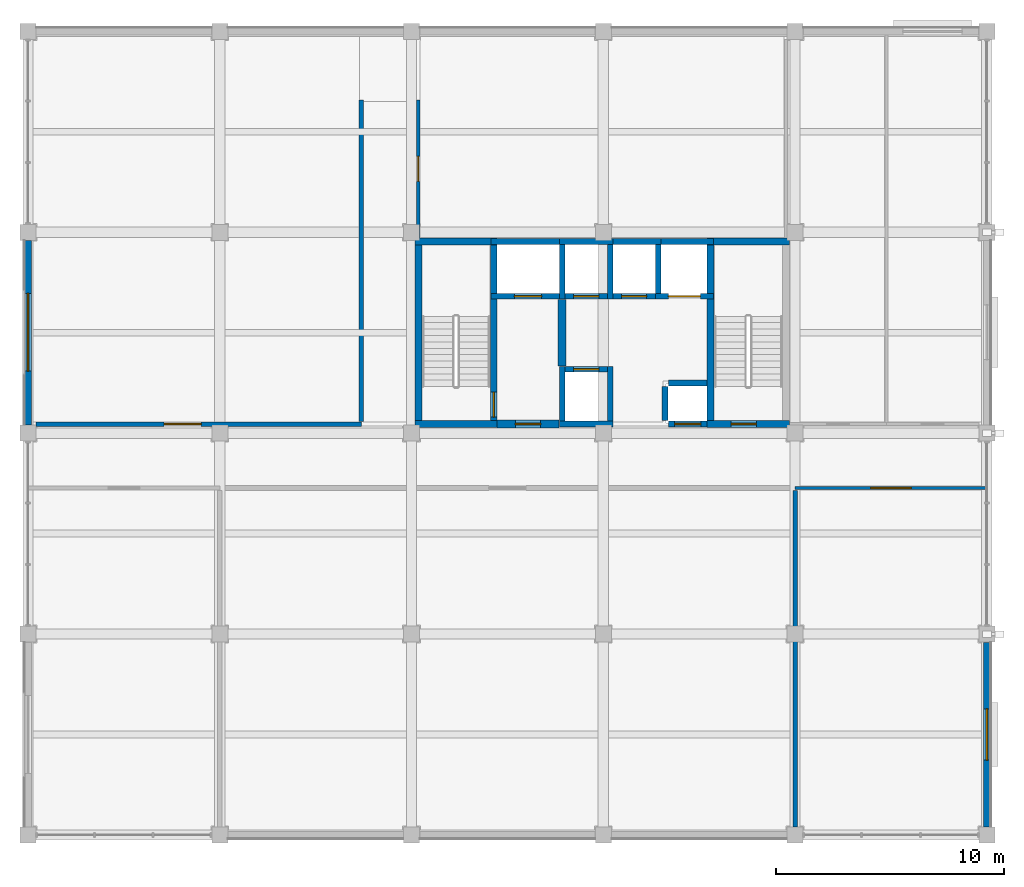
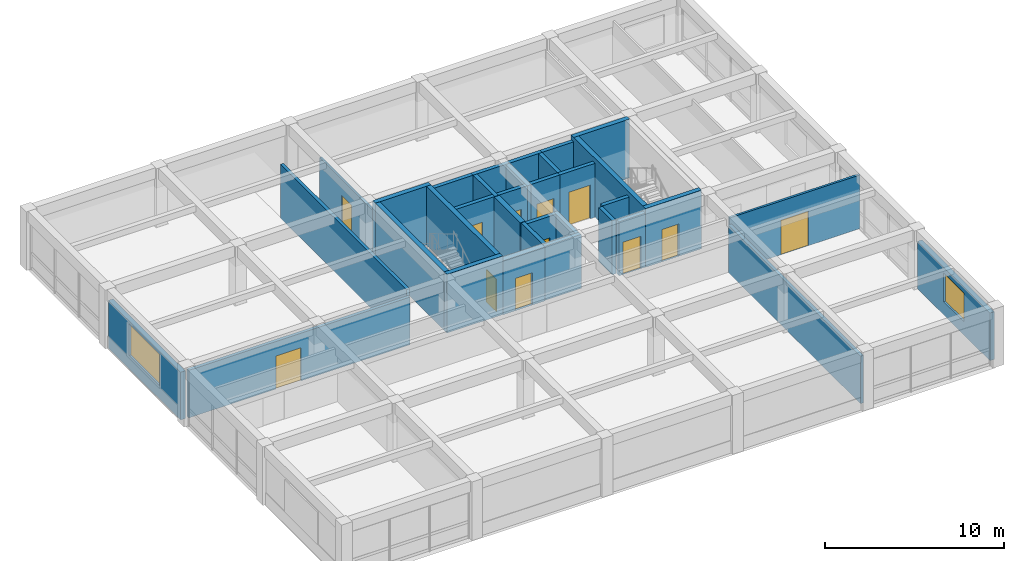
# One storey, part 8 of 14: 34 walls, 12 doors, 2 windows, 14 openings.
"""IFC4 building model written with IfcOpenShell, lengths in metres."""

from ifc_helpers import new_model, si_unit, direction, frame, frame_2d, origin, place, context, subcontext, project, spatial, rectangle, extrude, material, layer, layer_set, type_object, element, fill, save


model = new_model("IFC4")

# Units and contexts
model_context = context("Model", 3, precision=1e-05, world=origin(), true_north=direction((0.0, 1.0)))
body_context = subcontext(model_context, "Body", "Model", "MODEL_VIEW")
ifc_project = project(units=[si_unit("LENGTHUNIT", "METRE"), si_unit("AREAUNIT", "SQUARE_METRE"), si_unit("VOLUMEUNIT", "CUBIC_METRE"), si_unit("PLANEANGLEUNIT", "RADIAN"), si_unit("MASSUNIT", "GRAM", prefix="KILO")], contexts=[model_context])

# Site, building, storey
site_placement = place(None, origin())
site = spatial("IfcSite", under=ifc_project, at=site_placement, CompositionType="ELEMENT")
building_placement = place(site_placement, origin())
building = spatial("IfcBuilding", under=site, at=building_placement, Name="Kemercrest Conservatory and Botanical Centre", CompositionType="ELEMENT")
storey_placement = place(building_placement, frame((0.0, 0.0, 32.800048828125)))
storey = spatial("IfcBuildingStorey", under=building, at=storey_placement, Name="L08", CompositionType="ELEMENT", Elevation=32.800048828125)

# Wall
ifc_material_1 = material(Name="Concrete C50/60", Category="concrete")
ifc_layer_1 = layer(ifc_material_1, 0.35009765625)
ifc_layer_set_1 = layer_set([ifc_layer_1], Name="Concrete C50/60")
wall_type_1 = type_object("IfcWallType", Name="CW-CORE", PredefinedType="SHEAR", material=ifc_layer_set_1)
wall_1_placement = place(storey_placement, frame((157.39990234375, 107.75, 0.0), z_axis=(0.0, 0.0, 1.0), x_axis=(0.0, 1.0, 0.0)))
element("IfcWall", 1, at=wall_1_placement, inside=storey, type_object=wall_type_1, Name="Firefighting lift lobby 2-hour separation shear wall", PredefinedType="SHEAR", context=body_context, shape_type="SweptSolid", body=[
    extrude(rectangle(XDim=2.89990234375, YDim=0.35009765625, at=frame_2d((1.449951171875, 0.0))), origin(), (0.0, 0.0, 1.0), 3.679931640625),
])

# Wall, opening, door
wall_2_placement = place(storey_placement, frame((154.550048828125, 105.199951171875, 0.0), z_axis=(0.0, 0.0, 1.0), x_axis=(1.0, 0.0, 0.0)))
wall_2 = element("IfcWall", 2, at=wall_2_placement, inside=storey, type_object=wall_type_1, Name="Firefighting lift lobby south shear wall", PredefinedType="SHEAR", context=body_context, shape_type="SweptSolid", body=[
    extrude(rectangle(XDim=2.699951171875, YDim=0.35009765625, at=frame_2d((1.35009765625, 0.0))), origin(), (0.0, 0.0, 1.0), 3.679931640625),
])
opening_1_placement = place(wall_2_placement, frame((0.800048828125, 0.0, 0.0)))
opening_1 = element("IfcOpeningElement", 3, at=opening_1_placement, cuts=wall_2, Name="Opening D087", PredefinedType="OPENING", context=body_context, shape_type="SweptSolid", body=[
    extrude(rectangle(XDim=1.10009765625, YDim=2.199951171875, at=frame_2d((0.550048828125, 1.10009765625))), frame((0.0, 0.18505859375, 0.0), z_axis=(0.0, -1.0, 0.0), x_axis=(1.0, 0.0, 0.0)), (0.0, 0.0, 1.0), 0.3701171875),
])
ifc_material_2 = material(Name="Powder-coated galvanized steel and fire-rated vision glass", Category="steel")
door_type_1 = type_object("IfcDoorType", Name="DT-FD90", OperationType="NOTDEFINED", PredefinedType="DOOR", material=ifc_material_2)
door_1_placement = place(opening_1_placement, origin())
door_1 = element("IfcDoor", 4, at=door_1_placement, inside=storey, type_object=door_type_1, Name="Firefighting lift lobby corridor fire door D087", OperationType="SINGLE_SWING_LEFT", OverallHeight=2.199951171875, OverallWidth=1.10009765625, PredefinedType="DOOR", context=body_context, shape_type="SweptSolid", body=[
    extrude(rectangle(XDim=1.10009765625, YDim=2.199951171875, at=frame_2d((0.550048828125, 1.10009765625))), frame((0.0, 0.02490234375, 0.0), z_axis=(0.0, -1.0, 0.0), x_axis=(1.0, 0.0, 0.0)), (0.0, 0.0, 1.0), 0.050048828125),
])
fill(opening_1, door_1)

# Walls
ifc_layer_2 = layer(ifc_material_1, 0.300048828125)
ifc_layer_set_2 = layer_set([ifc_layer_2], Name="Concrete C50/60")
wall_type_2 = type_object("IfcWallType", Name="CW-STAIR", PredefinedType="SHEAR", material=ifc_layer_set_2)
for number, where, z_axis, x_axis, name in (
    (5, (150.949951171875, 105.199951171875, 0.0), (0.0, 0.0, 1.0), (1.0, 0.0, 0.0), "Stair core ST-V4A shear wall S"),
    (6, (150.949951171875, 113.199951171875, 0.0), (0.0, 0.0, 1.0), (1.0, 0.0, 0.0), "Stair core ST-V4A shear wall N"),
):
    element("IfcWall", number, at=place(storey_placement, frame(where, z_axis=z_axis, x_axis=x_axis)), inside=storey, type_object=wall_type_2, Name=name, PredefinedType="SHEAR", context=body_context, shape_type="SweptSolid", body=[
        extrude(rectangle(XDim=3.60009765625, YDim=0.300048828125, at=frame_2d((1.800048828125, 0.0))), origin(), (0.0, 0.0, 1.0), 4.0),
    ])
wall_3_placement = place(storey_placement, frame((151.10009765625, 105.050048828125, 0.0), z_axis=(0.0, 0.0, 1.0), x_axis=(0.0, 1.0, 0.0)))
element("IfcWall", 7, at=wall_3_placement, inside=storey, type_object=wall_type_2, Name="Stair core ST-V4A shear wall W", PredefinedType="SHEAR", context=body_context, shape_type="SweptSolid", body=[
    extrude(rectangle(XDim=8.300048828125, YDim=0.300048828125, at=frame_2d((4.14990234375, 0.0))), origin(), (0.0, 0.0, 1.0), 4.0),
])

# Wall, opening, door
wall_4_placement = place(storey_placement, frame((154.39990234375, 105.050048828125, 0.0), z_axis=(0.0, 0.0, 1.0), x_axis=(0.0, 1.0, 0.0)))
wall_4 = element("IfcWall", 8, at=wall_4_placement, inside=storey, type_object=wall_type_2, Name="Stair core ST-V4A shear wall E", PredefinedType="SHEAR", context=body_context, shape_type="SweptSolid", body=[
    extrude(rectangle(XDim=8.300048828125, YDim=0.300048828125, at=frame_2d((4.14990234375, 0.0))), origin(), (0.0, 0.0, 1.0), 4.0),
])
opening_2_placement = place(wall_4_placement, frame((0.449951171875, 0.0, 0.0)))
opening_2 = element("IfcOpeningElement", 9, at=opening_2_placement, cuts=wall_4, Name="Opening D034", PredefinedType="OPENING", context=body_context, shape_type="SweptSolid", body=[
    extrude(rectangle(XDim=1.10009765625, YDim=2.199951171875, at=frame_2d((0.550048828125, 1.10009765625))), frame((0.0, 0.16015625, 0.0), z_axis=(0.0, -1.0, 0.0), x_axis=(1.0, 0.0, 0.0)), (0.0, 0.0, 1.0), 0.320068359375),
])
door_2_placement = place(opening_2_placement, frame((1.10009765625, 0.0, 0.0), z_axis=(0.0, 0.0, 1.0), x_axis=(-1.0, 0.0, 0.0)))
door_2 = element("IfcDoor", 10, at=door_2_placement, inside=storey, type_object=door_type_1, Name="Exit stair ST-V4A fire door D034", OperationType="SINGLE_SWING_RIGHT", OverallHeight=2.199951171875, OverallWidth=1.10009765625, PredefinedType="DOOR", context=body_context, shape_type="SweptSolid", body=[
    extrude(rectangle(XDim=1.10009765625, YDim=2.199951171875, at=frame_2d((0.550048828125, 1.10009765625))), frame((0.0, 0.02490234375, 0.0), z_axis=(0.0, -1.0, 0.0), x_axis=(1.0, 0.0, 0.0)), (0.0, 0.0, 1.0), 0.050048828125),
])
fill(opening_2, door_2)

wall_5_placement = place(storey_placement, frame((163.75, 105.199951171875, 0.0), z_axis=(0.0, 0.0, 1.0), x_axis=(1.0, 0.0, 0.0)))
wall_5 = element("IfcWall", 11, at=wall_5_placement, inside=storey, type_object=wall_type_2, Name="Stair core ST-V4B shear wall S", PredefinedType="SHEAR", context=body_context, shape_type="SweptSolid", body=[
    extrude(rectangle(XDim=3.60009765625, YDim=0.300048828125, at=frame_2d((1.800048828125, 0.0))), origin(), (0.0, 0.0, 1.0), 4.0),
])
opening_3_placement = place(wall_5_placement, frame((1.050048828125, 0.0, 0.0)))
opening_3 = element("IfcOpeningElement", 12, at=opening_3_placement, cuts=wall_5, Name="Opening D053", PredefinedType="OPENING", context=body_context, shape_type="SweptSolid", body=[
    extrude(rectangle(XDim=1.10009765625, YDim=2.199951171875, at=frame_2d((0.550048828125, 1.10009765625))), frame((0.0, 0.16015625, 0.0), z_axis=(0.0, -1.0, 0.0), x_axis=(1.0, 0.0, 0.0)), (0.0, 0.0, 1.0), 0.320068359375),
])
door_3_placement = place(opening_3_placement, origin())
door_3 = element("IfcDoor", 13, at=door_3_placement, inside=storey, type_object=door_type_1, Name="Exit stair ST-V4B fire door D053", OperationType="SINGLE_SWING_LEFT", OverallHeight=2.199951171875, OverallWidth=1.10009765625, PredefinedType="DOOR", context=body_context, shape_type="SweptSolid", body=[
    extrude(rectangle(XDim=1.10009765625, YDim=2.199951171875, at=frame_2d((0.550048828125, 1.10009765625))), frame((0.0, 0.02490234375, 0.0), z_axis=(0.0, -1.0, 0.0), x_axis=(1.0, 0.0, 0.0)), (0.0, 0.0, 1.0), 0.050048828125),
])
fill(opening_3, door_3)

# Walls
wall_6_placement = place(storey_placement, frame((163.75, 113.199951171875, 0.0), z_axis=(0.0, 0.0, 1.0), x_axis=(1.0, 0.0, 0.0)))
element("IfcWall", 14, at=wall_6_placement, inside=storey, type_object=wall_type_2, Name="Stair core ST-V4B shear wall N", PredefinedType="SHEAR", context=body_context, shape_type="SweptSolid", body=[
    extrude(rectangle(XDim=3.60009765625, YDim=0.300048828125, at=frame_2d((1.800048828125, 0.0))), origin(), (0.0, 0.0, 1.0), 4.0),
])
wall_7_placement = place(storey_placement, frame((163.89990234375, 105.050048828125, 0.0), z_axis=(0.0, 0.0, 1.0), x_axis=(0.0, 1.0, 0.0)))
element("IfcWall", 15, at=wall_7_placement, inside=storey, type_object=wall_type_2, Name="Stair core ST-V4B shear wall W", PredefinedType="SHEAR", context=body_context, shape_type="SweptSolid", body=[
    extrude(rectangle(XDim=8.300048828125, YDim=0.300048828125, at=frame_2d((4.14990234375, 0.0))), origin(), (0.0, 0.0, 1.0), 4.0),
])

# Wall, opening, window
ifc_material_3 = material(Name="Precast concrete C40/50", Category="concrete")
ifc_layer_3 = layer(ifc_material_3, 0.300048828125)
ifc_layer_set_3 = layer_set([ifc_layer_3], Name="Precast concrete C40/50")
wall_type_3 = type_object("IfcWallType", Name="W-EXT300", PredefinedType="SOLIDWALL", material=ifc_layer_set_3)
wall_8_placement = place(storey_placement, frame((176.0, 87.56005859375, 0.0), z_axis=(0.0, 0.0, 1.0), x_axis=(0.0, 1.0, 0.0)))
wall_8 = element("IfcWall", 16, at=wall_8_placement, inside=storey, type_object=wall_type_3, Name="Exterior almasik wall W-EXT300 (WAL:L08:EXT-277)", PredefinedType="SOLIDWALL", context=body_context, shape_type="SweptSolid", body=[
    extrude(rectangle(XDim=8.079833984375, YDim=0.300048828125, at=frame_2d((4.0400390625, 0.0))), origin(), (0.0, 0.0, 1.0), 3.25),
])
opening_4_placement = place(wall_8_placement, frame((2.9150390625, 0.0, 0.89990234375)))
opening_4 = element("IfcOpeningElement", 17, at=opening_4_placement, cuts=wall_8, Name="Opening WT-08", PredefinedType="OPENING", context=body_context, shape_type="SweptSolid", body=[
    extrude(rectangle(XDim=2.25, YDim=1.949951171875, at=frame_2d((1.125, 0.97509765625))), frame((0.0, 0.16015625, 0.0), z_axis=(0.0, -1.0, 0.0), x_axis=(1.0, 0.0, 0.0)), (0.0, 0.0, 1.0), 0.320068359375),
])
ifc_material_4 = material(Name="Thermally broken bronze-anodized aluminium and triple glazing", Category="aluminium")
window_type_1 = type_object("IfcWindowType", Name="WT-08", PartitioningType="SINGLE_PANEL", PredefinedType="WINDOW", material=ifc_material_4)
window_1_placement = place(opening_4_placement, origin())
window_1 = element("IfcWindow", 18, at=window_1_placement, inside=storey, type_object=window_type_1, Name="Exterior window WT-08 (WIN:L08:EXT-277)", OverallHeight=1.949951171875, OverallWidth=2.25, PartitioningType="SINGLE_PANEL", PredefinedType="WINDOW", context=body_context, shape_type="SweptSolid", body=[
    extrude(rectangle(XDim=2.25, YDim=1.949951171875, at=frame_2d((1.125, 0.97509765625))), frame((0.0, 0.030029296875, 0.0), z_axis=(0.0, -1.0, 0.0), x_axis=(1.0, 0.0, 0.0)), (0.0, 0.0, 1.0), 0.06005859375),
])
fill(opening_4, window_1)

wall_9_placement = place(storey_placement, frame((134.0, 113.239990234375, 0.0), z_axis=(0.0, 0.0, 1.0), x_axis=(0.0, -1.0, 0.0)))
wall_9 = element("IfcWall", 19, at=wall_9_placement, inside=storey, type_object=wall_type_3, Name="Exterior almasik wall W-EXT300 (WAL:L08:EXT-284)", PredefinedType="SOLIDWALL", context=body_context, shape_type="SweptSolid", body=[
    extrude(rectangle(XDim=8.080078125, YDim=0.300048828125, at=frame_2d((4.0400390625, 0.0))), origin(), (0.0, 0.0, 1.0), 3.25),
])
opening_5_placement = place(wall_9_placement, frame((2.320068359375, 0.0, 0.89990234375)))
opening_5 = element("IfcOpeningElement", 20, at=opening_5_placement, cuts=wall_9, Name="Opening WT-20", PredefinedType="OPENING", context=body_context, shape_type="SweptSolid", body=[
    extrude(rectangle(XDim=3.39990234375, YDim=2.14990234375, at=frame_2d((1.699951171875, 1.074951171875))), frame((0.0, 0.16015625, 0.0), z_axis=(0.0, -1.0, 0.0), x_axis=(1.0, 0.0, 0.0)), (0.0, 0.0, 1.0), 0.320068359375),
])
window_type_2 = type_object("IfcWindowType", Name="WT-20", PartitioningType="SINGLE_PANEL", PredefinedType="WINDOW", material=ifc_material_4)
window_2_placement = place(opening_5_placement, origin())
window_2 = element("IfcWindow", 21, at=window_2_placement, inside=storey, type_object=window_type_2, Name="Exterior window WT-20 (WIN:L08:EXT-284)", OverallHeight=2.14990234375, OverallWidth=3.39990234375, PartitioningType="SINGLE_PANEL", PredefinedType="WINDOW", context=body_context, shape_type="SweptSolid", body=[
    extrude(rectangle(XDim=3.39990234375, YDim=2.14990234375, at=frame_2d((1.699951171875, 1.074951171875))), frame((0.0, 0.030029296875, 0.0), z_axis=(0.0, -1.0, 0.0), x_axis=(1.0, 0.0, 0.0)), (0.0, 0.0, 1.0), 0.06005859375),
])
fill(opening_5, window_2)

# Wall, opening, door
ifc_material_5 = material(Name="Concrete C40/50", Category="concrete")
ifc_layer_4 = layer(ifc_material_5, 0.199951171875)
ifc_layer_set_4 = layer_set([ifc_layer_4], Name="Concrete C40/50")
wall_type_4 = type_object("IfcWallType", Name="W-FIRE", PredefinedType="PARTITIONING", material=ifc_layer_set_4)
wall_10_placement = place(storey_placement, frame((134.35009765625, 105.199951171875, 0.0), z_axis=(0.0, 0.0, 1.0), x_axis=(1.0, 0.0, 0.0)))
wall_10 = element("IfcWall", 22, at=wall_10_placement, inside=storey, type_object=wall_type_4, Name="Interior partition W-FIRE #217", PredefinedType="PARTITIONING", context=body_context, shape_type="SweptSolid", body=[
    extrude(rectangle(XDim=14.25, YDim=0.199951171875, at=frame_2d((7.125, 0.0))), origin(), (0.0, 0.0, 1.0), 3.244873046875),
])
opening_6_placement = place(wall_10_placement, frame((5.614990234375, 0.0, 0.0)))
opening_6 = element("IfcOpeningElement", 23, at=opening_6_placement, cuts=wall_10, Name="Opening D230", PredefinedType="OPENING", context=body_context, shape_type="SweptSolid", body=[
    extrude(rectangle(XDim=1.6201171875, YDim=2.25, at=frame_2d((0.81005859375, 1.125))), frame((0.0, 0.10986328125, 0.0), z_axis=(0.0, -1.0, 0.0), x_axis=(1.0, 0.0, 0.0)), (0.0, 0.0, 1.0), 0.219970703125),
])
door_type_2 = type_object("IfcDoorType", Name="DT-FD60D", OperationType="DOUBLE_DOOR_SINGLE_SWING", PredefinedType="DOOR", material=ifc_material_2)
door_4_placement = place(opening_6_placement, origin())
door_4 = element("IfcDoor", 24, at=door_4_placement, inside=storey, type_object=door_type_2, Name="Herbarium Archival Vault door D230", OperationType="DOUBLE_DOOR_SINGLE_SWING", OverallHeight=2.25, OverallWidth=1.6201171875, PredefinedType="DOOR", context=body_context, shape_type="SweptSolid", body=[
    extrude(rectangle(XDim=1.6201171875, YDim=2.25, at=frame_2d((0.81005859375, 1.125))), frame((0.0, 0.02490234375, 0.0), z_axis=(0.0, -1.0, 0.0), x_axis=(1.0, 0.0, 0.0)), (0.0, 0.0, 1.0), 0.050048828125),
])
fill(opening_6, door_4)

# Walls
wall_11_placement = place(storey_placement, frame((148.60009765625, 105.304931640625, 0.0), z_axis=(0.0, 0.0, 1.0), x_axis=(0.0, 1.0, 0.0)))
element("IfcWall", 25, at=wall_11_placement, inside=storey, type_object=wall_type_4, Name="Interior partition W-FIRE #220", PredefinedType="PARTITIONING", context=body_context, shape_type="SweptSolid", body=[
    extrude(rectangle(XDim=14.094970703125, YDim=0.199951171875, at=frame_2d((7.04736328125, 0.0))), origin(), (0.0, 0.0, 1.0), 3.6650390625),
])
wall_12_placement = place(storey_placement, frame((167.60009765625, 87.550048828125, 0.0), z_axis=(0.0, 0.0, 1.0), x_axis=(0.0, 1.0, 0.0)))
element("IfcWall", 26, at=wall_12_placement, inside=storey, type_object=wall_type_4, Name="Interior partition W-FIRE #223", PredefinedType="PARTITIONING", context=body_context, shape_type="SweptSolid", body=[
    extrude(rectangle(XDim=14.744873046875, YDim=0.199951171875, at=frame_2d((7.37255859375, 0.0))), origin(), (0.0, 0.0, 1.0), 3.244873046875),
])

# Wall, opening, door
ifc_material_6 = material(Name="Steel-stud gypsum board partition", Category="steel")
ifc_layer_5 = layer(ifc_material_6, 0.14990234375)
ifc_layer_set_5 = layer_set([ifc_layer_5], Name="Steel-stud gypsum board partition")
wall_type_5 = type_object("IfcWallType", Name="W-PART150", PredefinedType="PARTITIONING", material=ifc_layer_set_5)
wall_13_placement = place(storey_placement, frame((167.60009765625, 102.39990234375, 0.0), z_axis=(0.0, 0.0, 1.0), x_axis=(1.0, 0.0, 0.0)))
wall_13 = element("IfcWall", 27, at=wall_13_placement, inside=storey, type_object=wall_type_5, Name="Interior partition W-PART150 #216", PredefinedType="PARTITIONING", context=body_context, shape_type="SweptSolid", body=[
    extrude(rectangle(XDim=8.39990234375, YDim=0.14990234375, at=frame_2d((4.199951171875, 0.0))), origin(), (0.0, 0.0, 1.0), 3.6650390625),
])
opening_7_placement = place(wall_13_placement, frame((3.320068359375, 0.0, 0.0)))
opening_7 = element("IfcOpeningElement", 28, at=opening_7_placement, cuts=wall_13, Name="Opening D229", PredefinedType="OPENING", context=body_context, shape_type="SweptSolid", body=[
    extrude(rectangle(XDim=1.760009765625, YDim=2.360107421875, at=frame_2d((0.8798828125, 1.18017578125))), frame((0.0, 0.0849609375, 0.0), z_axis=(0.0, -1.0, 0.0), x_axis=(1.0, 0.0, 0.0)), (0.0, 0.0, 1.0), 0.169921875),
])
ifc_material_7 = material(Name="FSC solid-core white oak veneer and anodized aluminium frame", Category="aluminium")
door_type_3 = type_object("IfcDoorType", Name="DT-43", OperationType="DOUBLE_DOOR_SINGLE_SWING", PredefinedType="DOOR", material=ifc_material_7)
door_5_placement = place(opening_7_placement, origin())
door_5 = element("IfcDoor", 29, at=door_5_placement, inside=storey, type_object=door_type_3, Name="Taxonomic Research Studio door D229", OperationType="DOUBLE_DOOR_SINGLE_SWING", OverallHeight=2.360107421875, OverallWidth=1.760009765625, PredefinedType="DOOR", context=body_context, shape_type="SweptSolid", body=[
    extrude(rectangle(XDim=1.760009765625, YDim=2.360107421875, at=frame_2d((0.8798828125, 1.18017578125))), frame((0.0, 0.02490234375, 0.0), z_axis=(0.0, -1.0, 0.0), x_axis=(1.0, 0.0, 0.0)), (0.0, 0.0, 1.0), 0.050048828125),
])
fill(opening_7, door_5)

wall_14_placement = place(storey_placement, frame((151.10009765625, 113.35498046875, 0.0), z_axis=(0.0, 0.0, 1.0), x_axis=(0.0, 1.0, 0.0)))
wall_14 = element("IfcWall", 30, at=wall_14_placement, inside=storey, type_object=wall_type_5, Name="Interior partition W-PART150 #221", PredefinedType="PARTITIONING", context=body_context, shape_type="SweptSolid", body=[
    extrude(rectangle(XDim=6.044921875, YDim=0.14990234375, at=frame_2d((3.0224609375, 0.0))), origin(), (0.0, 0.0, 1.0), 3.244873046875),
])
opening_8_placement = place(wall_14_placement, frame((2.472412109375, 0.0, 0.0)))
opening_8 = element("IfcOpeningElement", 31, at=opening_8_placement, cuts=wall_14, Name="Opening D233", PredefinedType="OPENING", context=body_context, shape_type="SweptSolid", body=[
    extrude(rectangle(XDim=1.10009765625, YDim=2.14990234375, at=frame_2d((0.550048828125, 1.074951171875))), frame((0.0, 0.0849609375, 0.0), z_axis=(0.0, -1.0, 0.0), x_axis=(1.0, 0.0, 0.0)), (0.0, 0.0, 1.0), 0.169921875),
])
door_type_4 = type_object("IfcDoorType", Name="DT-04", OperationType="NOTDEFINED", PredefinedType="DOOR", material=ifc_material_7)
door_6_placement = place(opening_8_placement, origin())
door_6 = element("IfcDoor", 32, at=door_6_placement, inside=storey, type_object=door_type_4, Name="Archival Conservation Office door D233", OperationType="SINGLE_SWING_LEFT", OverallHeight=2.14990234375, OverallWidth=1.10009765625, PredefinedType="DOOR", context=body_context, shape_type="SweptSolid", body=[
    extrude(rectangle(XDim=1.10009765625, YDim=2.14990234375, at=frame_2d((0.550048828125, 1.074951171875))), frame((0.0, 0.02490234375, 0.0), z_axis=(0.0, -1.0, 0.0), x_axis=(1.0, 0.0, 0.0)), (0.0, 0.0, 1.0), 0.050048828125),
])
fill(opening_8, door_6)

ifc_layer_6 = layer(ifc_material_5, 0.25)
ifc_layer_set_6 = layer_set([ifc_layer_6], Name="Concrete C40/50")
wall_type_6 = type_object("IfcWallType", Name="W-SHFT250", PredefinedType="SOLIDWALL", material=ifc_layer_set_6)
wall_15_placement = place(storey_placement, frame((154.27490234375, 110.800048828125, 0.0), z_axis=(0.0, 0.0, 1.0), x_axis=(1.0, 0.0, 0.0)))
wall_15 = element("IfcWall", 33, at=wall_15_placement, inside=storey, type_object=wall_type_6, Name="Elevator LF-FF1 shaft wall south", PredefinedType="SOLIDWALL", context=body_context, shape_type="SweptSolid", body=[
    extrude(rectangle(XDim=3.25, YDim=0.25, at=frame_2d((1.625, 0.0))), origin(), (0.0, 0.0, 1.0), 3.679931640625),
])
opening_9_placement = place(wall_15_placement, frame((1.02490234375, 0.0, 0.0)))
opening_9 = element("IfcOpeningElement", 34, at=opening_9_placement, cuts=wall_15, Name="Opening LD-010", PredefinedType="OPENING", context=body_context, shape_type="SweptSolid", body=[
    extrude(rectangle(XDim=1.199951171875, YDim=2.199951171875, at=frame_2d((0.60009765625, 1.10009765625))), frame((0.0, 0.135009765625, 0.0), z_axis=(0.0, -1.0, 0.0), x_axis=(1.0, 0.0, 0.0)), (0.0, 0.0, 1.0), 0.27001953125),
])
door_type_5 = type_object("IfcDoorType", Name="DT-LD02", OperationType="SLIDING_TO_LEFT", PredefinedType="DOOR", material=ifc_material_2)
door_7_placement = place(opening_9_placement, origin())
door_7 = element("IfcDoor", 35, at=door_7_placement, inside=storey, type_object=door_type_5, Name="Elevator LF-FF1 sliding landing door LD-010", OperationType="SLIDING_TO_LEFT", OverallHeight=2.199951171875, OverallWidth=1.199951171875, PredefinedType="DOOR", context=body_context, shape_type="SweptSolid", body=[
    extrude(rectangle(XDim=1.199951171875, YDim=2.199951171875, at=frame_2d((0.60009765625, 1.10009765625))), frame((0.0, 0.02490234375, 0.0), z_axis=(0.0, -1.0, 0.0), x_axis=(1.0, 0.0, 0.0)), (0.0, 0.0, 1.0), 0.050048828125),
])
fill(opening_9, door_7)

# Walls
wall_16_placement = place(storey_placement, frame((154.27490234375, 113.199951171875, 0.0), z_axis=(0.0, 0.0, 1.0), x_axis=(1.0, 0.0, 0.0)))
element("IfcWall", 36, at=wall_16_placement, inside=storey, type_object=wall_type_6, Name="Elevator LF-FF1 shaft wall north", PredefinedType="SOLIDWALL", context=body_context, shape_type="SweptSolid", body=[
    extrude(rectangle(XDim=3.25, YDim=0.25, at=frame_2d((1.625, 0.0))), origin(), (0.0, 0.0, 1.0), 3.679931640625),
])
wall_17_placement = place(storey_placement, frame((157.39990234375, 110.675048828125, 0.0), z_axis=(0.0, 0.0, 1.0), x_axis=(0.0, 1.0, 0.0)))
element("IfcWall", 37, at=wall_17_placement, inside=storey, type_object=wall_type_6, Name="Elevator LF-FF1 shaft wall east", PredefinedType="SOLIDWALL", context=body_context, shape_type="SweptSolid", body=[
    extrude(rectangle(XDim=2.64990234375, YDim=0.25, at=frame_2d((1.324951171875, 0.0))), origin(), (0.0, 0.0, 1.0), 3.679931640625),
])

# Wall, opening, door
wall_18_placement = place(storey_placement, frame((157.27490234375, 110.800048828125, 0.0), z_axis=(0.0, 0.0, 1.0), x_axis=(1.0, 0.0, 0.0)))
wall_18 = element("IfcWall", 38, at=wall_18_placement, inside=storey, type_object=wall_type_6, Name="Elevator LF-P1 shaft wall south", PredefinedType="SOLIDWALL", context=body_context, shape_type="SweptSolid", body=[
    extrude(rectangle(XDim=2.35009765625, YDim=0.25, at=frame_2d((1.175048828125, 0.0))), origin(), (0.0, 0.0, 1.0), 3.679931640625),
])
opening_10_placement = place(wall_18_placement, frame((0.625, 0.0, 0.0)))
opening_10 = element("IfcOpeningElement", 39, at=opening_10_placement, cuts=wall_18, Name="Opening LD-029", PredefinedType="OPENING", context=body_context, shape_type="SweptSolid", body=[
    extrude(rectangle(XDim=1.10009765625, YDim=2.199951171875, at=frame_2d((0.550048828125, 1.10009765625))), frame((0.0, 0.135009765625, 0.0), z_axis=(0.0, -1.0, 0.0), x_axis=(1.0, 0.0, 0.0)), (0.0, 0.0, 1.0), 0.27001953125),
])
door_type_6 = type_object("IfcDoorType", Name="DT-LD01", OperationType="SLIDING_TO_LEFT", PredefinedType="DOOR", material=ifc_material_2)
door_8_placement = place(opening_10_placement, origin())
door_8 = element("IfcDoor", 40, at=door_8_placement, inside=storey, type_object=door_type_6, Name="Elevator LF-P1 sliding landing door LD-029", OperationType="SLIDING_TO_LEFT", OverallHeight=2.199951171875, OverallWidth=1.10009765625, PredefinedType="DOOR", context=body_context, shape_type="SweptSolid", body=[
    extrude(rectangle(XDim=1.10009765625, YDim=2.199951171875, at=frame_2d((0.550048828125, 1.10009765625))), frame((0.0, 0.02490234375, 0.0), z_axis=(0.0, -1.0, 0.0), x_axis=(1.0, 0.0, 0.0)), (0.0, 0.0, 1.0), 0.050048828125),
])
fill(opening_10, door_8)

# Walls
wall_19_placement = place(storey_placement, frame((157.27490234375, 113.199951171875, 0.0), z_axis=(0.0, 0.0, 1.0), x_axis=(1.0, 0.0, 0.0)))
element("IfcWall", 41, at=wall_19_placement, inside=storey, type_object=wall_type_6, Name="Elevator LF-P1 shaft wall north", PredefinedType="SOLIDWALL", context=body_context, shape_type="SweptSolid", body=[
    extrude(rectangle(XDim=2.35009765625, YDim=0.25, at=frame_2d((1.175048828125, 0.0))), origin(), (0.0, 0.0, 1.0), 3.679931640625),
])
wall_20_placement = place(storey_placement, frame((159.5, 110.675048828125, 0.0), z_axis=(0.0, 0.0, 1.0), x_axis=(0.0, 1.0, 0.0)))
element("IfcWall", 42, at=wall_20_placement, inside=storey, type_object=wall_type_6, Name="Elevator LF-P1 shaft wall east", PredefinedType="SOLIDWALL", context=body_context, shape_type="SweptSolid", body=[
    extrude(rectangle(XDim=2.64990234375, YDim=0.25, at=frame_2d((1.324951171875, 0.0))), origin(), (0.0, 0.0, 1.0), 3.679931640625),
])

# Wall, opening, door
wall_21_placement = place(storey_placement, frame((159.375, 110.800048828125, 0.0), z_axis=(0.0, 0.0, 1.0), x_axis=(1.0, 0.0, 0.0)))
wall_21 = element("IfcWall", 43, at=wall_21_placement, inside=storey, type_object=wall_type_6, Name="Elevator LF-P2 shaft wall south", PredefinedType="SOLIDWALL", context=body_context, shape_type="SweptSolid", body=[
    extrude(rectangle(XDim=2.35009765625, YDim=0.25, at=frame_2d((1.175048828125, 0.0))), origin(), (0.0, 0.0, 1.0), 3.679931640625),
])
opening_11_placement = place(wall_21_placement, frame((0.625, 0.0, 0.0)))
opening_11 = element("IfcOpeningElement", 44, at=opening_11_placement, cuts=wall_21, Name="Opening LD-048", PredefinedType="OPENING", context=body_context, shape_type="SweptSolid", body=[
    extrude(rectangle(XDim=1.10009765625, YDim=2.199951171875, at=frame_2d((0.550048828125, 1.10009765625))), frame((0.0, 0.135009765625, 0.0), z_axis=(0.0, -1.0, 0.0), x_axis=(1.0, 0.0, 0.0)), (0.0, 0.0, 1.0), 0.27001953125),
])
door_9_placement = place(opening_11_placement, origin())
door_9 = element("IfcDoor", 45, at=door_9_placement, inside=storey, type_object=door_type_6, Name="Elevator LF-P2 sliding landing door LD-048", OperationType="SLIDING_TO_LEFT", OverallHeight=2.199951171875, OverallWidth=1.10009765625, PredefinedType="DOOR", context=body_context, shape_type="SweptSolid", body=[
    extrude(rectangle(XDim=1.10009765625, YDim=2.199951171875, at=frame_2d((0.550048828125, 1.10009765625))), frame((0.0, 0.02490234375, 0.0), z_axis=(0.0, -1.0, 0.0), x_axis=(1.0, 0.0, 0.0)), (0.0, 0.0, 1.0), 0.050048828125),
])
fill(opening_11, door_9)

# Walls
wall_22_placement = place(storey_placement, frame((159.375, 113.199951171875, 0.0), z_axis=(0.0, 0.0, 1.0), x_axis=(1.0, 0.0, 0.0)))
element("IfcWall", 46, at=wall_22_placement, inside=storey, type_object=wall_type_6, Name="Elevator LF-P2 shaft wall north", PredefinedType="SOLIDWALL", context=body_context, shape_type="SweptSolid", body=[
    extrude(rectangle(XDim=2.35009765625, YDim=0.25, at=frame_2d((1.175048828125, 0.0))), origin(), (0.0, 0.0, 1.0), 3.679931640625),
])
wall_23_placement = place(storey_placement, frame((161.60009765625, 110.675048828125, 0.0), z_axis=(0.0, 0.0, 1.0), x_axis=(0.0, 1.0, 0.0)))
element("IfcWall", 47, at=wall_23_placement, inside=storey, type_object=wall_type_6, Name="Elevator LF-P2 shaft wall east", PredefinedType="SOLIDWALL", context=body_context, shape_type="SweptSolid", body=[
    extrude(rectangle(XDim=2.64990234375, YDim=0.25, at=frame_2d((1.324951171875, 0.0))), origin(), (0.0, 0.0, 1.0), 3.679931640625),
])
wall_24_placement = place(storey_placement, frame((157.27490234375, 105.199951171875, 0.0), z_axis=(0.0, 0.0, 1.0), x_axis=(1.0, 0.0, 0.0)))
element("IfcWall", 48, at=wall_24_placement, inside=storey, type_object=wall_type_6, Name="Elevator LF-P3 shaft wall south", PredefinedType="SOLIDWALL", context=body_context, shape_type="SweptSolid", body=[
    extrude(rectangle(XDim=2.35009765625, YDim=0.25, at=frame_2d((1.175048828125, 0.0))), origin(), (0.0, 0.0, 1.0), 3.679931640625),
])

# Wall, opening, door
wall_25_placement = place(storey_placement, frame((157.27490234375, 107.60009765625, 0.0), z_axis=(0.0, 0.0, 1.0), x_axis=(1.0, 0.0, 0.0)))
wall_25 = element("IfcWall", 49, at=wall_25_placement, inside=storey, type_object=wall_type_6, Name="Elevator LF-P3 shaft wall north", PredefinedType="SOLIDWALL", context=body_context, shape_type="SweptSolid", body=[
    extrude(rectangle(XDim=2.35009765625, YDim=0.25, at=frame_2d((1.175048828125, 0.0))), origin(), (0.0, 0.0, 1.0), 3.679931640625),
])
opening_12_placement = place(wall_25_placement, frame((0.625, 0.0, 0.0)))
opening_12 = element("IfcOpeningElement", 50, at=opening_12_placement, cuts=wall_25, Name="Opening LD-066", PredefinedType="OPENING", context=body_context, shape_type="SweptSolid", body=[
    extrude(rectangle(XDim=1.10009765625, YDim=2.199951171875, at=frame_2d((0.550048828125, 1.10009765625))), frame((0.0, 0.135009765625, 0.0), z_axis=(0.0, -1.0, 0.0), x_axis=(1.0, 0.0, 0.0)), (0.0, 0.0, 1.0), 0.27001953125),
])
door_10_placement = place(opening_12_placement, origin())
door_10 = element("IfcDoor", 51, at=door_10_placement, inside=storey, type_object=door_type_6, Name="Elevator LF-P3 sliding landing door LD-066", OperationType="SLIDING_TO_LEFT", OverallHeight=2.199951171875, OverallWidth=1.10009765625, PredefinedType="DOOR", context=body_context, shape_type="SweptSolid", body=[
    extrude(rectangle(XDim=1.10009765625, YDim=2.199951171875, at=frame_2d((0.550048828125, 1.10009765625))), frame((0.0, 0.02490234375, 0.0), z_axis=(0.0, -1.0, 0.0), x_axis=(1.0, 0.0, 0.0)), (0.0, 0.0, 1.0), 0.050048828125),
])
fill(opening_12, door_10)

# Walls
for number, where, z_axis, x_axis, name in (
    (52, (157.39990234375, 105.074951171875, 0.0), (0.0, 0.0, 1.0), (0.0, 1.0, 0.0), "Elevator LF-P3 shaft wall west"),
    (53, (159.5, 105.074951171875, 0.0), (0.0, 0.0, 1.0), (0.0, 1.0, 0.0), "Elevator LF-P3 shaft wall east"),
):
    element("IfcWall", number, at=place(storey_placement, frame(where, z_axis=z_axis, x_axis=x_axis)), inside=storey, type_object=wall_type_6, Name=name, PredefinedType="SOLIDWALL", context=body_context, shape_type="SweptSolid", body=[
        extrude(rectangle(XDim=2.650146484375, YDim=0.25, at=frame_2d((1.3251953125, 0.0))), origin(), (0.0, 0.0, 1.0), 3.679931640625),
    ])

# Wall, opening, door
wall_26_placement = place(storey_placement, frame((161.47509765625, 110.800048828125, 0.0), z_axis=(0.0, 0.0, 1.0), x_axis=(1.0, 0.0, 0.0)))
wall_26 = element("IfcWall", 54, at=wall_26_placement, inside=storey, type_object=wall_type_6, Name="Elevator LF-G1 shaft wall south", PredefinedType="SOLIDWALL", context=body_context, shape_type="SweptSolid", body=[
    extrude(rectangle(XDim=2.5498046875, YDim=0.25, at=frame_2d((1.27490234375, 0.0))), origin(), (0.0, 0.0, 1.0), 3.679931640625),
])
opening_13_placement = place(wall_26_placement, frame((0.574951171875, 0.0, 0.0)))
opening_13 = element("IfcOpeningElement", 55, at=opening_13_placement, cuts=wall_26, Name="Opening LD-084", PredefinedType="OPENING", context=body_context, shape_type="SweptSolid", body=[
    extrude(rectangle(XDim=1.39990234375, YDim=2.300048828125, at=frame_2d((0.699951171875, 1.14990234375))), frame((0.0, 0.135009765625, 0.0), z_axis=(0.0, -1.0, 0.0), x_axis=(1.0, 0.0, 0.0)), (0.0, 0.0, 1.0), 0.27001953125),
])
door_type_7 = type_object("IfcDoorType", Name="DT-LD03", OperationType="SLIDING_TO_LEFT", PredefinedType="DOOR", material=ifc_material_2)
door_11_placement = place(opening_13_placement, origin())
door_11 = element("IfcDoor", 56, at=door_11_placement, inside=storey, type_object=door_type_7, Name="Elevator LF-G1 sliding landing door LD-084", OperationType="SLIDING_TO_LEFT", OverallHeight=2.300048828125, OverallWidth=1.39990234375, PredefinedType="DOOR", context=body_context, shape_type="SweptSolid", body=[
    extrude(rectangle(XDim=1.39990234375, YDim=2.300048828125, at=frame_2d((0.699951171875, 1.14990234375))), frame((0.0, 0.02490234375, 0.0), z_axis=(0.0, -1.0, 0.0), x_axis=(1.0, 0.0, 0.0)), (0.0, 0.0, 1.0), 0.050048828125),
])
fill(opening_13, door_11)

# Walls
wall_27_placement = place(storey_placement, frame((161.47509765625, 113.199951171875, 0.0), z_axis=(0.0, 0.0, 1.0), x_axis=(1.0, 0.0, 0.0)))
element("IfcWall", 57, at=wall_27_placement, inside=storey, type_object=wall_type_6, Name="Elevator LF-G1 shaft wall north", PredefinedType="SOLIDWALL", context=body_context, shape_type="SweptSolid", body=[
    extrude(rectangle(XDim=2.5498046875, YDim=0.25, at=frame_2d((1.27490234375, 0.0))), origin(), (0.0, 0.0, 1.0), 3.679931640625),
])
wall_28_placement = place(storey_placement, frame((161.89990234375, 105.35009765625, 0.0), z_axis=(0.0, 0.0, 1.0), x_axis=(0.0, 1.0, 0.0)))
element("IfcWall", 58, at=wall_28_placement, inside=storey, type_object=wall_type_6, Name="Core service riser shaft wall W", PredefinedType="SOLIDWALL", context=body_context, shape_type="SweptSolid", body=[
    extrude(rectangle(XDim=1.5, YDim=0.25, at=frame_2d((0.75, 0.0))), origin(), (0.0, 0.0, 1.0), 3.679931640625),
])
wall_29_placement = place(storey_placement, frame((162.050048828125, 107.0, 0.0), z_axis=(0.0, 0.0, 1.0), x_axis=(1.0, 0.0, 0.0)))
element("IfcWall", 59, at=wall_29_placement, inside=storey, type_object=wall_type_6, Name="Core service riser shaft wall N", PredefinedType="SOLIDWALL", context=body_context, shape_type="SweptSolid", body=[
    extrude(rectangle(XDim=1.699951171875, YDim=0.25, at=frame_2d((0.85009765625, 0.0))), origin(), (0.0, 0.0, 1.0), 3.679931640625),
])

# Wall, opening, door
wall_30_placement = place(storey_placement, frame((162.050048828125, 105.199951171875, 0.0), z_axis=(0.0, 0.0, 1.0), x_axis=(1.0, 0.0, 0.0)))
wall_30 = element("IfcWall", 60, at=wall_30_placement, inside=storey, type_object=wall_type_6, Name="Core service riser shaft wall S", PredefinedType="SOLIDWALL", context=body_context, shape_type="SweptSolid", body=[
    extrude(rectangle(XDim=1.699951171875, YDim=0.25, at=frame_2d((0.85009765625, 0.0))), origin(), (0.0, 0.0, 1.0), 3.679931640625),
])
opening_14_placement = place(wall_30_placement, frame((0.27001953125, 0.0, 0.0)))
opening_14 = element("IfcOpeningElement", 61, at=opening_14_placement, cuts=wall_30, Name="Opening D088", PredefinedType="OPENING", context=body_context, shape_type="SweptSolid", body=[
    extrude(rectangle(XDim=1.14990234375, YDim=2.199951171875, at=frame_2d((0.574951171875, 1.10009765625))), frame((0.0, 0.135009765625, 0.0), z_axis=(0.0, -1.0, 0.0), x_axis=(1.0, 0.0, 0.0)), (0.0, 0.0, 1.0), 0.27001953125),
])
door_type_8 = type_object("IfcDoorType", Name="DT-FD60", OperationType="NOTDEFINED", PredefinedType="DOOR", material=ifc_material_2)
door_12_placement = place(opening_14_placement, origin())
door_12 = element("IfcDoor", 62, at=door_12_placement, inside=storey, type_object=door_type_8, Name="Service riser access fire door D088", OperationType="SINGLE_SWING_RIGHT", OverallHeight=2.199951171875, OverallWidth=1.14990234375, PredefinedType="DOOR", context=body_context, shape_type="SweptSolid", body=[
    extrude(rectangle(XDim=1.14990234375, YDim=2.199951171875, at=frame_2d((0.574951171875, 1.10009765625))), frame((0.0, 0.02490234375, 0.0), z_axis=(0.0, -1.0, 0.0), x_axis=(1.0, 0.0, 0.0)), (0.0, 0.0, 1.0), 0.050048828125),
])
fill(opening_14, door_12)

save(model, "model.ifc")
